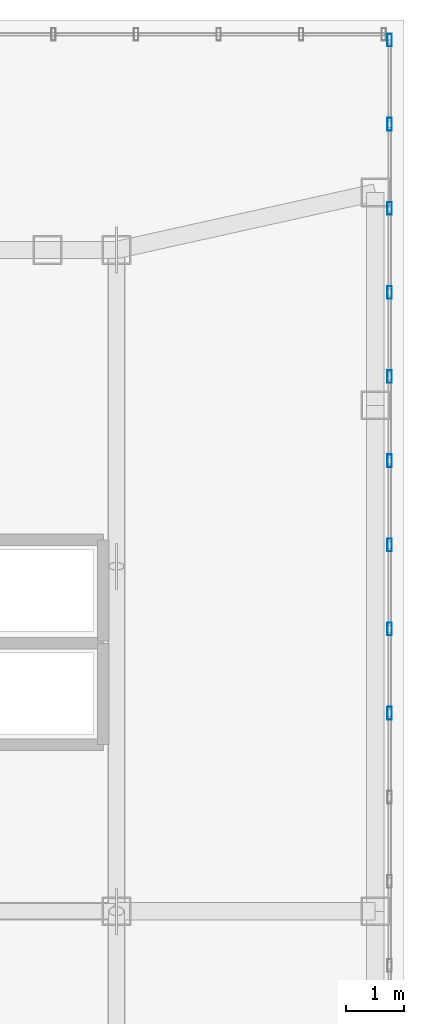
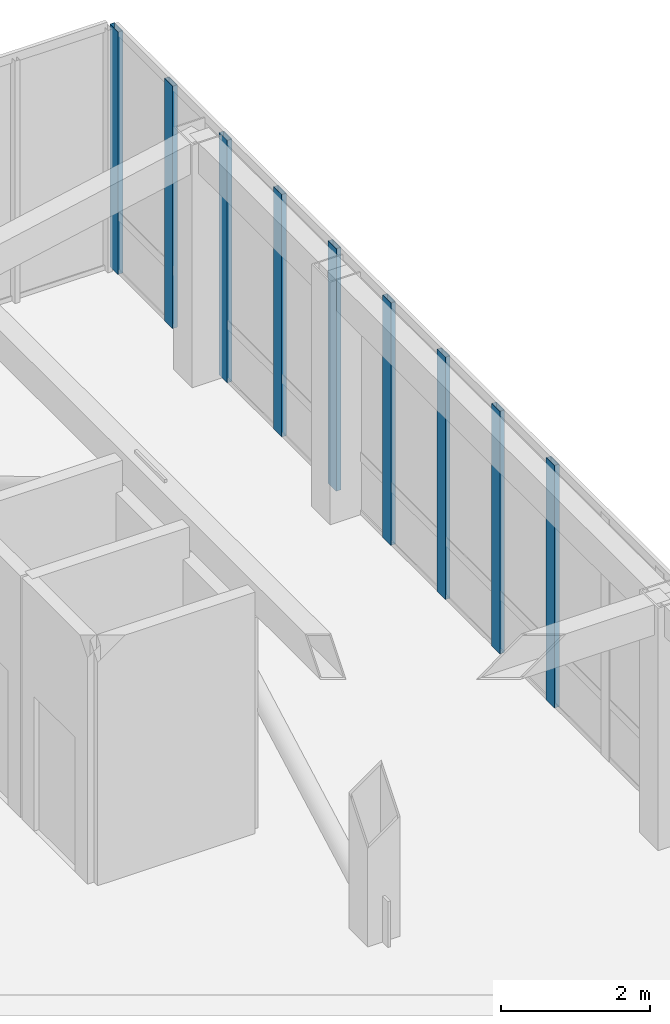
# One storey, part 10 of 13: 9 members, 1 element without a shape of its own.
"""IFC4 building model written with IfcOpenShell, lengths in metres."""

from ifc_helpers import new_model, si_unit, direction, frame, origin, origin_2d, place, context, subcontext, project, spatial, hollow_rectangle, extrude, source, transform, mapped, material, layer, layer_set, material_profile, profile_set, type_object, element, aggregate, save


model = new_model("IFC4")

# Units and contexts
model_context = context("Model", 3, precision=1e-05, world=origin(), true_north=direction((0.0, 1.0)))
body_context = subcontext(model_context, "Body", "Model", "MODEL_VIEW")
ifc_project = project(units=[si_unit("LENGTHUNIT", "METRE"), si_unit("AREAUNIT", "SQUARE_METRE"), si_unit("VOLUMEUNIT", "CUBIC_METRE"), si_unit("PLANEANGLEUNIT", "RADIAN"), si_unit("MASSUNIT", "GRAM", prefix="KILO")], contexts=[model_context])

# Site, building, storey
site_placement = place(None, origin())
site = spatial("IfcSite", under=ifc_project, at=site_placement, CompositionType="ELEMENT")
building_placement = place(site_placement, origin())
building = spatial("IfcBuilding", under=site, at=building_placement, Name="Kharzan Plaza Tower", CompositionType="ELEMENT")
storey_placement = place(building_placement, frame((0.0, 0.0, 294.0)))
storey = spatial("IfcBuildingStorey", under=building, at=storey_placement, Name="L79-CROWN", CompositionType="ELEMENT", Elevation=294.0)

# Curtain wall, members
ifc_material_1 = material(Name="Unitised Bronze-Anodized Aluminium and Low-E Glass", Category="aluminium")
ifc_layer = layer(ifc_material_1, 0.199951171875)
ifc_layer_set = layer_set([ifc_layer], Name="Unitised Bronze-Anodized Aluminium and Low-E Glass")
curtain_wall_type = type_object("IfcCurtainWallType", Name="CW-LANTERN-6", PredefinedType="NOTDEFINED", material=ifc_layer_set)
curtain_wall_placement = place(storey_placement, origin())
curtain_wall = element("IfcCurtainWall", 1, at=curtain_wall_placement, inside=storey, type_object=curtain_wall_type, Name="L79-CROWN Lantern Crown Illuminated Curtain Wall 2", PredefinedType="NOTDEFINED")
ifc_material_2 = material(Name="Anodized Bronze Aluminium", Category="aluminium")
ifc_material_profile = material_profile(ifc_material_2, hollow_rectangle(XDim=0.074951171875, YDim=0.219970703125, WallThickness=0.00390625, at=origin_2d()), Name="ALU-M220x75x4")
ifc_profile_set = profile_set([ifc_material_profile], Name="Anodized Bronze Aluminium")
member_type = type_object("IfcMemberType", Name="MEM-CW-MUL200", PredefinedType="MULLION", material=ifc_profile_set)
shared_shape = source(origin(), body_context, "Body", "SweptSolid", [
    extrude(hollow_rectangle(XDim=0.074951171875, YDim=0.219970703125, WallThickness=0.00390625, at=origin_2d()), origin(), (0.0, 0.0, 1.0), 3.969970703125),
])
member_1_placement = place(storey_placement, frame((19.25, 21.444580078125, 0.0), z_axis=(0.0, 0.0, 1.0), x_axis=(1.0, 0.0, 0.0)))
member_1 = element("IfcMember", 2, at=member_1_placement, type_object=member_type, Name="L79-CROWN Curtain-Wall Mullion 11", PredefinedType="MULLION", context=body_context, shape_type="MappedRepresentation", body=[
    mapped(shared_shape, transform((0.0, 0.0, 0.0), x_axis=(1.0, 0.0, 0.0), y_axis=(0.0, 1.0, 0.0), z_axis=(0.0, 0.0, 1.0))),
])
member_2_placement = place(storey_placement, frame((19.25, 22.907958984375, 0.0), z_axis=(0.0, 0.0, 1.0), x_axis=(1.0, 0.0, 0.0)))
member_2 = element("IfcMember", 3, at=member_2_placement, type_object=member_type, Name="L79-CROWN Curtain-Wall Mullion 12", PredefinedType="MULLION", context=body_context, shape_type="MappedRepresentation", body=[
    mapped(shared_shape, transform((0.0, 0.0, 0.0), x_axis=(1.0, 0.0, 0.0), y_axis=(0.0, 1.0, 0.0), z_axis=(0.0, 0.0, 1.0))),
])
member_3_placement = place(storey_placement, frame((19.25, 24.37109375, 0.0), z_axis=(0.0, 0.0, 1.0), x_axis=(1.0, 0.0, 0.0)))
member_3 = element("IfcMember", 4, at=member_3_placement, type_object=member_type, Name="L79-CROWN Curtain-Wall Mullion 13", PredefinedType="MULLION", context=body_context, shape_type="MappedRepresentation", body=[
    mapped(shared_shape, transform((0.0, 0.0, 0.0), x_axis=(1.0, 0.0, 0.0), y_axis=(0.0, 1.0, 0.0), z_axis=(0.0, 0.0, 1.0))),
])
member_4_placement = place(storey_placement, frame((19.25, 25.834228515625, 0.0), z_axis=(0.0, 0.0, 1.0), x_axis=(1.0, 0.0, 0.0)))
member_4 = element("IfcMember", 5, at=member_4_placement, type_object=member_type, Name="L79-CROWN Curtain-Wall Mullion 14", PredefinedType="MULLION", context=body_context, shape_type="MappedRepresentation", body=[
    mapped(shared_shape, transform((0.0, 0.0, 0.0), x_axis=(1.0, 0.0, 0.0), y_axis=(0.0, 1.0, 0.0), z_axis=(0.0, 0.0, 1.0))),
])
member_5_placement = place(storey_placement, frame((19.25, 27.29736328125, 0.0), z_axis=(0.0, 0.0, 1.0), x_axis=(1.0, 0.0, 0.0)))
member_5 = element("IfcMember", 6, at=member_5_placement, type_object=member_type, Name="L79-CROWN Curtain-Wall Mullion 15", PredefinedType="MULLION", context=body_context, shape_type="MappedRepresentation", body=[
    mapped(shared_shape, transform((0.0, 0.0, 0.0), x_axis=(1.0, 0.0, 0.0), y_axis=(0.0, 1.0, 0.0), z_axis=(0.0, 0.0, 1.0))),
])
member_6_placement = place(storey_placement, frame((19.25, 28.760498046875, 0.0), z_axis=(0.0, 0.0, 1.0), x_axis=(1.0, 0.0, 0.0)))
member_6 = element("IfcMember", 7, at=member_6_placement, type_object=member_type, Name="L79-CROWN Curtain-Wall Mullion 16", PredefinedType="MULLION", context=body_context, shape_type="MappedRepresentation", body=[
    mapped(shared_shape, transform((0.0, 0.0, 0.0), x_axis=(1.0, 0.0, 0.0), y_axis=(0.0, 1.0, 0.0), z_axis=(0.0, 0.0, 1.0))),
])
member_7_placement = place(storey_placement, frame((19.25, 30.2236328125, 0.0), z_axis=(0.0, 0.0, 1.0), x_axis=(1.0, 0.0, 0.0)))
member_7 = element("IfcMember", 8, at=member_7_placement, type_object=member_type, Name="L79-CROWN Curtain-Wall Mullion 17", PredefinedType="MULLION", context=body_context, shape_type="MappedRepresentation", body=[
    mapped(shared_shape, transform((0.0, 0.0, 0.0), x_axis=(1.0, 0.0, 0.0), y_axis=(0.0, 1.0, 0.0), z_axis=(0.0, 0.0, 1.0))),
])
member_8_placement = place(storey_placement, frame((19.25, 31.686767578125, 0.0), z_axis=(0.0, 0.0, 1.0), x_axis=(1.0, 0.0, 0.0)))
member_8 = element("IfcMember", 9, at=member_8_placement, type_object=member_type, Name="L79-CROWN Curtain-Wall Mullion 18", PredefinedType="MULLION", context=body_context, shape_type="MappedRepresentation", body=[
    mapped(shared_shape, transform((0.0, 0.0, 0.0), x_axis=(1.0, 0.0, 0.0), y_axis=(0.0, 1.0, 0.0), z_axis=(0.0, 0.0, 1.0))),
])
member_9_placement = place(storey_placement, frame((19.25, 33.14990234375, 0.0), z_axis=(0.0, 0.0, 1.0), x_axis=(1.0, 0.0, 0.0)))
member_9 = element("IfcMember", 10, at=member_9_placement, type_object=member_type, Name="L79-CROWN Curtain-Wall Mullion 19", PredefinedType="MULLION", context=body_context, shape_type="MappedRepresentation", body=[
    mapped(shared_shape, transform((0.0, 0.0, 0.0), x_axis=(1.0, 0.0, 0.0), y_axis=(0.0, 1.0, 0.0), z_axis=(0.0, 0.0, 1.0))),
])
aggregate(curtain_wall, [member_1, member_2, member_3, member_4, member_5, member_6, member_7, member_8, member_9])

save(model, "model.ifc")
